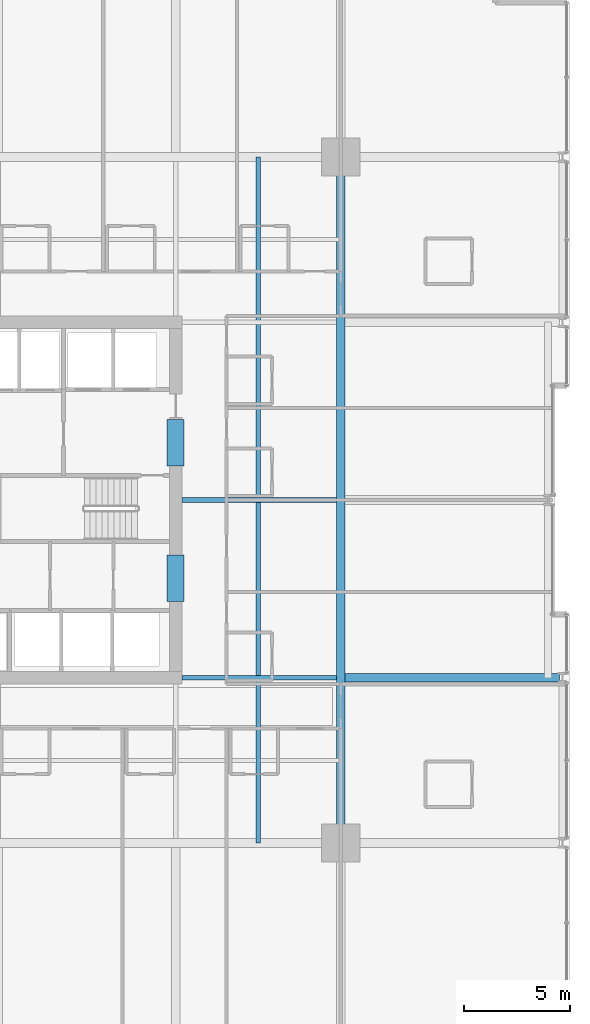
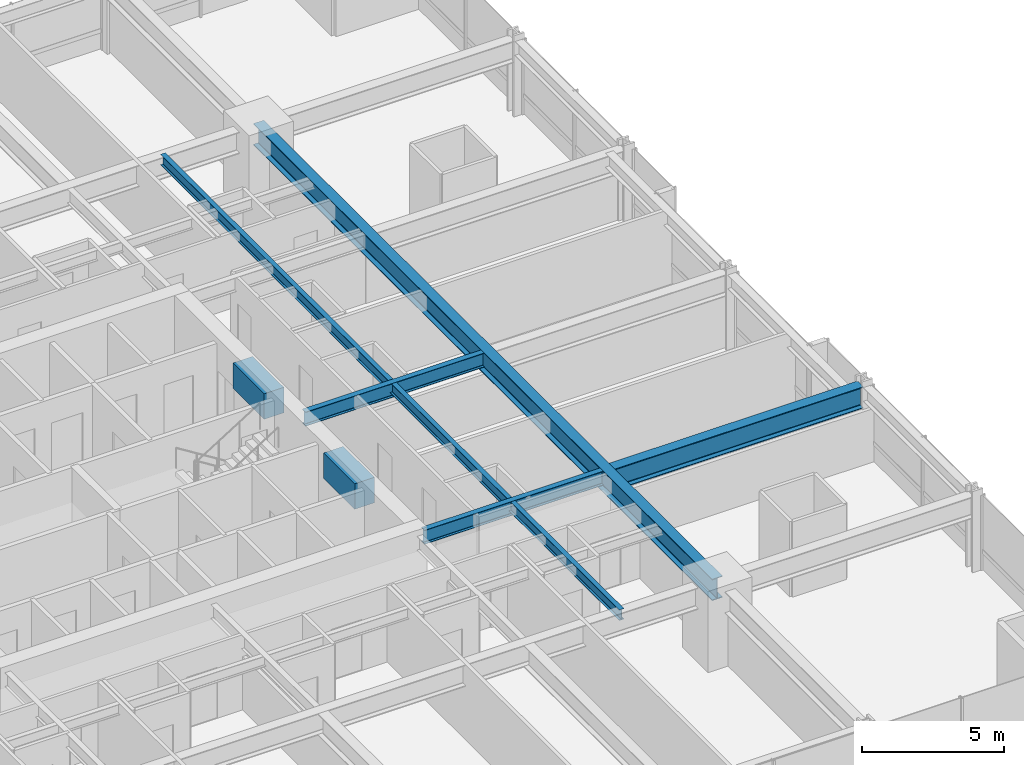
# One storey, part 15 of 39: 7 beams.
"""IFC4 building model written with IfcOpenShell, lengths in metres."""

from ifc_helpers import new_model, si_unit, direction, frame, origin, origin_2d, place, context, subcontext, project, spatial, rectangle, i_section, extrude, material, material_profile, profile_set, type_object, element, save


model = new_model("IFC4")

# Units and contexts
model_context = context("Model", 3, precision=1e-05, world=origin(), true_north=direction((0.0, 1.0)))
body_context = subcontext(model_context, "Body", "Model", "MODEL_VIEW")
ifc_project = project(units=[si_unit("LENGTHUNIT", "METRE"), si_unit("AREAUNIT", "SQUARE_METRE"), si_unit("VOLUMEUNIT", "CUBIC_METRE"), si_unit("PLANEANGLEUNIT", "RADIAN"), si_unit("MASSUNIT", "GRAM", prefix="KILO")], contexts=[model_context])

# Site, building, storey
site_placement = place(None, origin())
site = spatial("IfcSite", under=ifc_project, at=site_placement, CompositionType="ELEMENT")
building_placement = place(site_placement, origin())
building = spatial("IfcBuilding", under=site, at=building_placement, Name="Drelvath Grand Hotel", CompositionType="ELEMENT")
storey_placement = place(building_placement, frame((0.0, 0.0, 36.699951171875)))
storey = spatial("IfcBuildingStorey", under=building, at=storey_placement, Name="L07", CompositionType="ELEMENT", Elevation=36.699951171875)

# Beams
ifc_material_1 = material(Name="Steel ASTM A992 Gr 50", Category="steel")
ifc_material_profile_1 = material_profile(ifc_material_1, i_section(OverallWidth=0.19140625, OverallDepth=0.4599609375, WebThickness=0.010009765625, FlangeThickness=0.01611328125, FilletRadius=0.01611328125, at=origin_2d()), Name="W18X55")
ifc_profile_set_1 = profile_set([ifc_material_profile_1], Name="Steel ASTM A992 Gr 50")
beam_type_1 = type_object("IfcBeamType", Name="Composite Floor Joist W18X55", PredefinedType="JOIST", material=ifc_profile_set_1)
beam_1_placement = place(storey_placement, frame((12.300048828125, 10.800048828125, 3.010009765625), z_axis=(0.0, 1.0, 0.0), x_axis=(-1.0, 0.0, 0.0)))
element("IfcBeam", 1, at=beam_1_placement, inside=storey, type_object=beam_type_1, Name="L07 Wing Floor Joist J4", PredefinedType="JOIST", context=body_context, shape_type="SweptSolid", body=[
    extrude(i_section(OverallWidth=0.19140625, OverallDepth=0.4599609375, WebThickness=0.010009765625, FlangeThickness=0.01611328125, FilletRadius=0.01611328125, at=origin_2d()), origin(), (0.0, 0.0, 1.0), 32.39990234375),
])
ifc_material_2 = material(Name="Concrete f'c 70 MPa", Category="concrete")
ifc_material_profile_2 = material_profile(ifc_material_2, rectangle(XDim=0.800048828125, YDim=1.10009765625, at=origin_2d()), Name="CB800X1100")
ifc_profile_set_2 = profile_set([ifc_material_profile_2], Name="Concrete f'c 70 MPa")
beam_type_2 = type_object("IfcBeamType", Name="Core Coupling Lintel CB800X1100", PredefinedType="LINTEL", material=ifc_profile_set_2)
for number, where, z_axis, x_axis, name in (
    (2, (8.39990234375, 22.199951171875, 2.68994140625), (0.0, 1.0, 0.0), (-1.0, 0.0, 0.0), "L07 Core Coupling Lintel ES"),
    (3, (8.39990234375, 28.60009765625, 2.68994140625), (0.0, 1.0, 0.0), (-1.0, 0.0, 0.0), "L07 Core Coupling Lintel EN"),
):
    element("IfcBeam", number, at=place(storey_placement, frame(where, z_axis=z_axis, x_axis=x_axis)), inside=storey, type_object=beam_type_2, Name=name, PredefinedType="LINTEL", context=body_context, shape_type="SweptSolid", body=[
        extrude(rectangle(XDim=0.800048828125, YDim=1.10009765625, at=origin_2d()), origin(), (0.0, 0.0, 1.0), 2.199951171875),
    ])
ifc_material_profile_3 = material_profile(ifc_material_1, i_section(OverallWidth=0.228271484375, OverallDepth=0.607666015625, WebThickness=0.01123046875, FlangeThickness=0.017333984375, FilletRadius=0.02001953125, at=origin_2d()), Name="W24X76")
ifc_profile_set_3 = profile_set([ifc_material_profile_3], Name="Steel ASTM A992 Gr 50")
beam_type_3 = type_object("IfcBeamType", Name="Primary Floor Girder W24X76", PredefinedType="BEAM", material=ifc_profile_set_3)
for number, where, z_axis, x_axis, name in (
    (4, (8.699951171875, 18.60009765625, 2.936279296875), (1.0, 0.0, 0.0), (0.0, 1.0, 0.0), "L07 East Core Tie D"),
    (5, (8.699951171875, 27.0, 2.936279296875), (1.0, 0.0, 0.0), (0.0, 1.0, 0.0), "L07 East Core Tie E"),
):
    element("IfcBeam", number, at=place(storey_placement, frame(where, z_axis=z_axis, x_axis=x_axis)), inside=storey, type_object=beam_type_3, Name=name, PredefinedType="BEAM", context=body_context, shape_type="SweptSolid", body=[
        extrude(i_section(OverallWidth=0.228271484375, OverallDepth=0.607666015625, WebThickness=0.01123046875, FlangeThickness=0.017333984375, FilletRadius=0.02001953125, at=origin_2d()), origin(), (0.0, 0.0, 1.0), 7.290771484375),
    ])
ifc_material_profile_4 = material_profile(ifc_material_1, i_section(OverallWidth=0.418212890625, OverallDepth=0.926513671875, WebThickness=0.019287109375, FlangeThickness=0.031982421875, FilletRadius=0.028076171875, at=origin_2d()), Name="W36X231")
ifc_profile_set_4 = profile_set([ifc_material_profile_4], Name="Steel ASTM A992 Gr 50")
beam_type_4 = type_object("IfcBeamType", Name="Primary Floor Girder W36X231", PredefinedType="BEAM", material=ifc_profile_set_4)
beam_2_placement = place(storey_placement, frame((16.199951171875, 10.800048828125, 2.77685546875), z_axis=(0.0, 1.0, 0.0), x_axis=(-1.0, 0.0, 0.0)))
element("IfcBeam", 6, at=beam_2_placement, inside=storey, type_object=beam_type_4, Name="L07 Mega Ring Girder East", PredefinedType="BEAM", context=body_context, shape_type="SweptSolid", body=[
    extrude(i_section(OverallWidth=0.418212890625, OverallDepth=0.926513671875, WebThickness=0.019287109375, FlangeThickness=0.031982421875, FilletRadius=0.028076171875, at=origin_2d()), origin(), (0.0, 0.0, 1.0), 32.39990234375),
])
beam_3_placement = place(storey_placement, frame((16.4091796875, 18.60009765625, 2.77685546875), z_axis=(1.0, 0.0, 0.0), x_axis=(0.0, 1.0, 0.0)))
element("IfcBeam", 7, at=beam_3_placement, inside=storey, type_object=beam_type_4, Name="L07 East Wing Girder D", PredefinedType="BEAM", context=body_context, shape_type="SweptSolid", body=[
    extrude(i_section(OverallWidth=0.418212890625, OverallDepth=0.926513671875, WebThickness=0.019287109375, FlangeThickness=0.031982421875, FilletRadius=0.028076171875, at=origin_2d()), origin(), (0.0, 0.0, 1.0), 10.130859375),
])

save(model, "model.ifc")
